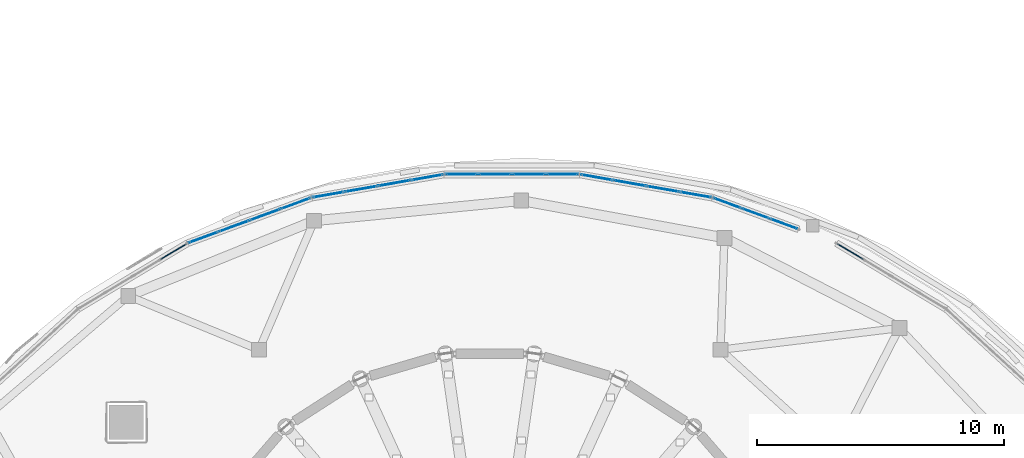
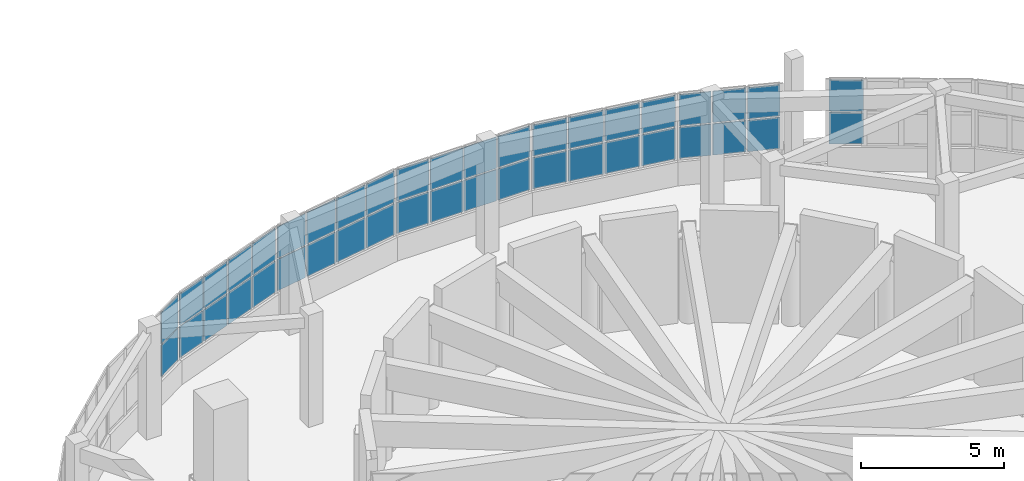
# One storey, part 49 of 69: 42 plates, 7 elements without a shape of their own.
"""IFC4 building model written with IfcOpenShell, lengths in metres."""

import ifcopenshell
import ifcopenshell.guid

model = None  # the IFC model being written
_history = None  # IfcOwnerHistory: only IFC2X3 demands one
_inside = {}  # id of a spatial element -> (the spatial element, [elements in it])
_under = {}  # id of a project, library or spatial element -> (it, [spatial elements below it])
_declared = {}  # id of a project -> (the project, [libraries it declares])
_typed = {}  # id of a type object -> (the type object, [elements of that type])
_made_of = {}  # id of a material, layer set ... -> (it, [elements and type objects made of it])


def new_model(schema):
    """Start an empty IFC model of exactly this schema.

    Asked for "IFC4X3", IfcOpenShell would pick the latest addendum, in which some entities
    have other attributes; the version numbers below select the first issue.
    IFC2X3 requires an IfcOwnerHistory on every rooted entity: one is made here for all.
    """
    global model, _history
    if schema == "IFC4X3":
        model = ifcopenshell.file(schema_version=(4, 3, 0, 0))
    else:
        model = ifcopenshell.file(schema=schema)
    _inside.clear()
    _under.clear()
    _declared.clear()
    _typed.clear()
    _made_of.clear()
    _history = None
    if model.schema == "IFC2X3":
        org = make("IfcOrganization", Name="unknown")
        user = make(
            "IfcPersonAndOrganization",
            ThePerson=make("IfcPerson", FamilyName="unknown"),
            TheOrganization=org,
        )
        app = make(
            "IfcApplication",
            ApplicationDeveloper=org,
            Version="unknown",
            ApplicationFullName="unknown",
            ApplicationIdentifier="unknown",
        )
        _history = make(
            "IfcOwnerHistory",
            OwningUser=user,
            OwningApplication=app,
            ChangeAction="ADDED",
            CreationDate=0,
        )
    return model


def make(cls, **values):
    """One entity of the class cls with the attributes given. An attribute that is None is left unset."""
    return model.create_entity(
        cls, **{name: value for name, value in values.items() if value is not None}
    )


def rooted(cls, **values):
    """An entity with a GlobalId (a new one), such as an element, a storey or a relation."""
    return make(cls, GlobalId=ifcopenshell.guid.new(), OwnerHistory=_history, **values)


def si_unit(unit_type, name, prefix=None):
    """IfcSIUnit, for example si_unit("LENGTHUNIT", "METRE", prefix="MILLI")."""
    return make("IfcSIUnit", UnitType=unit_type, Prefix=prefix, Name=name)


def assignment(units):
    """IfcUnitAssignment: the units of a project."""
    return None if units is None else make("IfcUnitAssignment", Units=units)


def point(xyz):
    """IfcCartesianPoint."""
    return None if xyz is None else make("IfcCartesianPoint", Coordinates=xyz)


def direction(xyz):
    """IfcDirection."""
    return None if xyz is None else make("IfcDirection", DirectionRatios=xyz)


def frame(location, z_axis=None, x_axis=None):
    """IfcAxis2Placement3D, a coordinate frame: its origin and axes. An axis left out is left unset."""
    return make(
        "IfcAxis2Placement3D",
        Location=point(location),
        Axis=direction(z_axis),
        RefDirection=direction(x_axis),
    )


def frame_2d(location, x_axis=None):
    """IfcAxis2Placement2D, a coordinate frame in the plane: its origin and x axis."""
    return make(
        "IfcAxis2Placement2D", Location=point(location), RefDirection=direction(x_axis)
    )


def origin():
    """The frame at (0, 0, 0) with its axes left unset."""
    return frame((0.0, 0.0, 0.0))


def origin_2d():
    """The frame at (0, 0) in the plane with its x axis left unset."""
    return frame_2d((0.0, 0.0))


def place(relative_to, where):
    """IfcLocalPlacement: puts the frame where relative to a parent placement (None: the world)."""
    return make(
        "IfcLocalPlacement", PlacementRelTo=relative_to, RelativePlacement=where
    )


def context(
    kind, dimensions, precision=None, world=None, true_north=None, identifier=None
):
    """IfcGeometricRepresentationContext, for example the 3D "Model" context."""
    return make(
        "IfcGeometricRepresentationContext",
        ContextIdentifier=identifier,
        ContextType=kind,
        CoordinateSpaceDimension=dimensions,
        Precision=precision,
        WorldCoordinateSystem=world,
        TrueNorth=true_north,
    )


def subcontext(parent, identifier, kind, view, scale=None):
    """IfcGeometricRepresentationSubContext, for example "Body" below "Model"."""
    return make(
        "IfcGeometricRepresentationSubContext",
        ContextIdentifier=identifier,
        ContextType=kind,
        ParentContext=parent,
        TargetScale=scale,
        TargetView=view,
    )


def project(units=None, contexts=None):
    """IfcProject with its units and contexts."""
    return rooted(
        "IfcProject",
        Name="project",
        RepresentationContexts=contexts,
        UnitsInContext=assignment(units),
    )


def spatial(cls, under=None, at=None, **own):
    """A site, building, storey or space (cls), placed at a placement, below another one or the project."""
    s = rooted(cls, ObjectPlacement=at, **own)
    if under is not None:
        _under.setdefault(under.id(), (under, []))[1].append(s)
    return s


def profile(cls, at=None, kind="AREA", **sizes):
    """A parametric profile (cls). Its sizes go by their IFC names, for example OverallWidth=200.0."""
    return make(cls, ProfileType=kind, Position=at, **sizes)


def rectangle(**sizes):
    """IfcRectangleProfileDef."""
    return profile("IfcRectangleProfileDef", **sizes)


def extrude(swept, where, along, depth):
    """IfcExtrudedAreaSolid: the profile swept, set in the frame where, extruded along a direction by depth."""
    return make(
        "IfcExtrudedAreaSolid",
        SweptArea=swept,
        Position=where,
        ExtrudedDirection=direction(along),
        Depth=depth,
    )


def shape(context_of_items, identifier, shape_type, items):
    """IfcShapeRepresentation: the items that make up one representation, for example the "Body"."""
    return make(
        "IfcShapeRepresentation",
        ContextOfItems=context_of_items,
        RepresentationIdentifier=identifier,
        RepresentationType=shape_type,
        Items=items,
    )


def material(Name=None, Category=None):
    """IfcMaterial."""
    return make("IfcMaterial", Name=Name, Category=Category)


def layer(
    of_material, thickness, ventilated=None, Name=None, Category=None, Priority=None
):
    """IfcMaterialLayer: one layer of a wall or slab, of a material (None: an air gap)."""
    return make(
        "IfcMaterialLayer",
        Material=of_material,
        LayerThickness=thickness,
        IsVentilated=ventilated,
        Name=Name,
        Category=Category,
        Priority=Priority,
    )


def layer_set(layers, Name=None):
    """IfcMaterialLayerSet."""
    return make("IfcMaterialLayerSet", MaterialLayers=layers, LayerSetName=Name)


def made_of(thing, what):
    """Note that an element or type object is made of a material, layer set ...; save() writes the relation."""
    if what is not None:
        _made_of.setdefault(what.id(), (what, []))[1].append(thing)
    return thing


def type_object(cls, material=None, **own):
    """A type object (cls), such as IfcWallType, which elements share."""
    return made_of(rooted(cls, **own), material)


def element(
    cls,
    number,
    at=None,
    inside=None,
    cuts=None,
    type_object=None,
    material=None,
    context=None,
    identifier="Body",
    shape_type=None,
    held_by="IfcProductDefinitionShape",
    body=None,
    shapes=None,
    **own,
):
    """One element of the class cls, such as IfcWall. Its Tag is "e" and its number.

    at: its placement. inside: the storey or other place that contains it. cuts: it is an
    opening in that element (IfcRelVoidsElement). A single representation is given by context,
    identifier, shape_type and body (its items); several are given by shapes. held_by: the class
    of the entity that holds the representations. save() writes the other relations.
    """
    e = rooted(cls, Tag="e%d" % number, ObjectPlacement=at, **own)
    if body is not None:
        shapes = [shape(context, identifier, shape_type, body)]
    if shapes is not None:
        e.Representation = make(held_by, Representations=shapes)
    if inside is not None:
        _inside.setdefault(inside.id(), (inside, []))[1].append(e)
    if cuts is not None:
        rooted(
            "IfcRelVoidsElement", RelatingBuildingElement=cuts, RelatedOpeningElement=e
        )
    if type_object is not None:
        _typed.setdefault(type_object.id(), (type_object, []))[1].append(e)
    return made_of(e, material)


def aggregate(whole, parts):
    """IfcRelAggregates: a whole, such as a stair, and the parts it consists of."""
    return rooted("IfcRelAggregates", RelatingObject=whole, RelatedObjects=parts)


def save(model, path):
    """Write the relations noted so far, then the file.

    IfcRelAggregates (storeys below a building ...), IfcRelContainedInSpatialStructure (elements
    in a storey), IfcRelDefinesByType, IfcRelAssociatesMaterial and IfcRelDeclares: one each for
    every whole, place, type object, material and project.
    """
    for whole, parts in _under.values():
        aggregate(whole, parts)
    for where, things in _inside.values():
        rooted(
            "IfcRelContainedInSpatialStructure",
            RelatedElements=things,
            RelatingStructure=where,
        )
    for kind, things in _typed.values():
        rooted("IfcRelDefinesByType", RelatedObjects=things, RelatingType=kind)
    for what, things in _made_of.values():
        rooted("IfcRelAssociatesMaterial", RelatedObjects=things, RelatingMaterial=what)
    for by, libraries in _declared.values():
        rooted("IfcRelDeclares", RelatingContext=by, RelatedDefinitions=libraries)
    model.write(path)


model = new_model("IFC4")

# Units and contexts
model_context = context("Model", 3, precision=1e-05, world=origin(), true_north=direction((0.0, 1.0)))
body_context = subcontext(model_context, "Body", "Model", "MODEL_VIEW")
ifc_project = project(units=[si_unit("LENGTHUNIT", "METRE"), si_unit("AREAUNIT", "SQUARE_METRE"), si_unit("VOLUMEUNIT", "CUBIC_METRE"), si_unit("PLANEANGLEUNIT", "RADIAN"), si_unit("MASSUNIT", "GRAM", prefix="KILO")], contexts=[model_context])

# Site, building, storey
site_placement = place(None, origin())
site = spatial("IfcSite", under=ifc_project, at=site_placement, CompositionType="ELEMENT")
building_placement = place(site_placement, origin())
building = spatial("IfcBuilding", under=site, at=building_placement, Name="Pelvatis Terrace Science Centre", CompositionType="ELEMENT")
storey_placement = place(building_placement, frame((0.0, 0.0, 15.0)))
storey = spatial("IfcBuildingStorey", under=building, at=storey_placement, Name="L03", CompositionType="ELEMENT", Elevation=15.0)

# Curtain wall, plates
ifc_material_1 = material(Name="Bronze-anodised aluminium and laminated glass", Category="aluminium")
ifc_layer_1 = layer(ifc_material_1, 0.179931640625)
ifc_layer_set_1 = layer_set([ifc_layer_1], Name="Bronze-anodised aluminium and laminated glass")
curtain_wall_type = type_object("IfcCurtainWallType", Name="CW-RIBBON-A", PredefinedType="NOTDEFINED", material=ifc_layer_set_1)
curtain_wall_1_placement = place(storey_placement, origin())
curtain_wall_1 = element("IfcCurtainWall", 1, at=curtain_wall_1_placement, inside=storey, type_object=curtain_wall_type, Name="Ribbon curtain wall CW-187 (L03)", PredefinedType="NOTDEFINED")
ifc_material_2 = material(Name="Low-e laminated solar-control double glazing", Category="glass")
ifc_layer_2 = layer(ifc_material_2, 0.035888671875)
ifc_layer_set_2 = layer_set([ifc_layer_2], Name="Low-e laminated solar-control double glazing")
plate_type = type_object("IfcPlateType", Name="CWP-IGU-36", PredefinedType="CURTAIN_PANEL", material=ifc_layer_set_2)
plate_1_placement = place(storey_placement, frame((123.792724609375, 102.4091796875, 1.080078125), z_axis=(0.0, 0.0, 1.0), x_axis=(-0.857792823096, 0.51399559594, 0.0)))
plate_1 = element("IfcPlate", 2, at=plate_1_placement, type_object=plate_type, Name="CW-187 panel 4.1", PredefinedType="CURTAIN_PANEL", context=body_context, shape_type="SweptSolid", body=[
    extrude(rectangle(XDim=1.203857421875, YDim=0.035888671875, at=origin_2d()), origin(), (0.0, 0.0, 1.0), 1.3349609375),
])
plate_2_placement = place(storey_placement, frame((123.792724609375, 102.4091796875, 2.47509765625), z_axis=(0.0, 0.0, 1.0), x_axis=(-0.857792823096, 0.51399559594, 0.0)))
plate_2 = element("IfcPlate", 3, at=plate_2_placement, type_object=plate_type, Name="CW-187 panel 4.2", PredefinedType="CURTAIN_PANEL", context=body_context, shape_type="SweptSolid", body=[
    extrude(rectangle(XDim=1.203857421875, YDim=0.035888671875, at=origin_2d()), origin(), (0.0, 0.0, 1.0), 1.3349609375),
])
aggregate(curtain_wall_1, [plate_1, plate_2])

curtain_wall_2_placement = place(storey_placement, origin())
curtain_wall_2 = element("IfcCurtainWall", 4, at=curtain_wall_2_placement, inside=storey, type_object=curtain_wall_type, Name="Ribbon curtain wall CW-188 (L03)", PredefinedType="NOTDEFINED")
plate_3_placement = place(storey_placement, frame((121.097900390625, 103.530517578125, 1.080078125), z_axis=(0.0, 0.0, 1.0), x_axis=(-0.938702715374, 0.344727736262, 0.0)))
plate_3 = element("IfcPlate", 5, at=plate_3_placement, type_object=plate_type, Name="CW-188 panel 1.1", PredefinedType="CURTAIN_PANEL", context=body_context, shape_type="SweptSolid", body=[
    extrude(rectangle(XDim=1.145751953125, YDim=0.035888671875, at=origin_2d()), origin(), (0.0, 0.0, 1.0), 1.3349609375),
])
plate_4_placement = place(storey_placement, frame((121.097900390625, 103.530517578125, 2.47509765625), z_axis=(0.0, 0.0, 1.0), x_axis=(-0.938702715374, 0.344727736262, 0.0)))
plate_4 = element("IfcPlate", 6, at=plate_4_placement, type_object=plate_type, Name="CW-188 panel 1.2", PredefinedType="CURTAIN_PANEL", context=body_context, shape_type="SweptSolid", body=[
    extrude(rectangle(XDim=1.145751953125, YDim=0.035888671875, at=origin_2d()), origin(), (0.0, 0.0, 1.0), 1.3349609375),
])
plate_5_placement = place(storey_placement, frame((119.951904296875, 103.951416015625, 1.080078125), z_axis=(0.0, 0.0, 1.0), x_axis=(-0.938702715374, 0.344727736262, 0.0)))
plate_5 = element("IfcPlate", 7, at=plate_5_placement, type_object=plate_type, Name="CW-188 panel 2.1", PredefinedType="CURTAIN_PANEL", context=body_context, shape_type="SweptSolid", body=[
    extrude(rectangle(XDim=1.17578125, YDim=0.035888671875, at=origin_2d()), origin(), (0.0, 0.0, 1.0), 1.3349609375),
])
plate_6_placement = place(storey_placement, frame((119.951904296875, 103.951416015625, 2.47509765625), z_axis=(0.0, 0.0, 1.0), x_axis=(-0.938702715374, 0.344727736262, 0.0)))
plate_6 = element("IfcPlate", 8, at=plate_6_placement, type_object=plate_type, Name="CW-188 panel 2.2", PredefinedType="CURTAIN_PANEL", context=body_context, shape_type="SweptSolid", body=[
    extrude(rectangle(XDim=1.17578125, YDim=0.035888671875, at=origin_2d()), origin(), (0.0, 0.0, 1.0), 1.3349609375),
])
plate_7_placement = place(storey_placement, frame((118.805908203125, 104.372314453125, 1.080078125), z_axis=(0.0, 0.0, 1.0), x_axis=(-0.938702715374, 0.344727736262, 0.0)))
plate_7 = element("IfcPlate", 9, at=plate_7_placement, type_object=plate_type, Name="CW-188 panel 3.1", PredefinedType="CURTAIN_PANEL", context=body_context, shape_type="SweptSolid", body=[
    extrude(rectangle(XDim=1.145751953125, YDim=0.035888671875, at=origin_2d()), origin(), (0.0, 0.0, 1.0), 1.3349609375),
])
plate_8_placement = place(storey_placement, frame((118.805908203125, 104.372314453125, 2.47509765625), z_axis=(0.0, 0.0, 1.0), x_axis=(-0.938702715374, 0.344727736262, 0.0)))
plate_8 = element("IfcPlate", 10, at=plate_8_placement, type_object=plate_type, Name="CW-188 panel 3.2", PredefinedType="CURTAIN_PANEL", context=body_context, shape_type="SweptSolid", body=[
    extrude(rectangle(XDim=1.145751953125, YDim=0.035888671875, at=origin_2d()), origin(), (0.0, 0.0, 1.0), 1.3349609375),
])
aggregate(curtain_wall_2, [plate_3, plate_4, plate_5, plate_6, plate_7, plate_8])

curtain_wall_3_placement = place(storey_placement, origin())
curtain_wall_3 = element("IfcCurtainWall", 11, at=curtain_wall_3_placement, inside=storey, type_object=curtain_wall_type, Name="Ribbon curtain wall CW-189 (L03)", PredefinedType="NOTDEFINED")
plate_9_placement = place(storey_placement, frame((117.52587890625, 104.710693359375, 1.080078125), z_axis=(0.0, 0.0, 1.0), x_axis=(-0.984979480969, 0.172671428067, 0.0)))
plate_9 = element("IfcPlate", 12, at=plate_9_placement, type_object=plate_type, Name="CW-189 panel 1.1", PredefinedType="CURTAIN_PANEL", context=body_context, shape_type="SweptSolid", body=[
    extrude(rectangle(XDim=1.2724609375, YDim=0.035888671875, at=origin_2d()), origin(), (0.0, 0.0, 1.0), 1.3349609375),
])
plate_10_placement = place(storey_placement, frame((117.52587890625, 104.710693359375, 2.47509765625), z_axis=(0.0, 0.0, 1.0), x_axis=(-0.984979480969, 0.172671428067, 0.0)))
plate_10 = element("IfcPlate", 13, at=plate_10_placement, type_object=plate_type, Name="CW-189 panel 1.2", PredefinedType="CURTAIN_PANEL", context=body_context, shape_type="SweptSolid", body=[
    extrude(rectangle(XDim=1.2724609375, YDim=0.035888671875, at=origin_2d()), origin(), (0.0, 0.0, 1.0), 1.3349609375),
])
plate_11_placement = place(storey_placement, frame((116.19873046875, 104.943359375, 1.080078125), z_axis=(0.0, 0.0, 1.0), x_axis=(-0.984979480969, 0.172671428067, 0.0)))
plate_11 = element("IfcPlate", 14, at=plate_11_placement, type_object=plate_type, Name="CW-189 panel 2.1", PredefinedType="CURTAIN_PANEL", context=body_context, shape_type="SweptSolid", body=[
    extrude(rectangle(XDim=1.302490234375, YDim=0.035888671875, at=origin_2d()), origin(), (0.0, 0.0, 1.0), 1.3349609375),
])
plate_12_placement = place(storey_placement, frame((116.19873046875, 104.943359375, 2.47509765625), z_axis=(0.0, 0.0, 1.0), x_axis=(-0.984979480969, 0.172671428067, 0.0)))
plate_12 = element("IfcPlate", 15, at=plate_12_placement, type_object=plate_type, Name="CW-189 panel 2.2", PredefinedType="CURTAIN_PANEL", context=body_context, shape_type="SweptSolid", body=[
    extrude(rectangle(XDim=1.302490234375, YDim=0.035888671875, at=origin_2d()), origin(), (0.0, 0.0, 1.0), 1.3349609375),
])
plate_13_placement = place(storey_placement, frame((114.85693359375, 105.178466796875, 1.080078125), z_axis=(0.0, 0.0, 1.0), x_axis=(-0.984979480969, 0.172671428067, 0.0)))
plate_13 = element("IfcPlate", 16, at=plate_13_placement, type_object=plate_type, Name="CW-189 panel 3.1", PredefinedType="CURTAIN_PANEL", context=body_context, shape_type="SweptSolid", body=[
    extrude(rectangle(XDim=1.302490234375, YDim=0.035888671875, at=origin_2d()), origin(), (0.0, 0.0, 1.0), 1.3349609375),
])
plate_14_placement = place(storey_placement, frame((114.85693359375, 105.178466796875, 2.47509765625), z_axis=(0.0, 0.0, 1.0), x_axis=(-0.984979480969, 0.172671428067, 0.0)))
plate_14 = element("IfcPlate", 17, at=plate_14_placement, type_object=plate_type, Name="CW-189 panel 3.2", PredefinedType="CURTAIN_PANEL", context=body_context, shape_type="SweptSolid", body=[
    extrude(rectangle(XDim=1.302490234375, YDim=0.035888671875, at=origin_2d()), origin(), (0.0, 0.0, 1.0), 1.3349609375),
])
plate_15_placement = place(storey_placement, frame((113.529541015625, 105.4111328125, 1.080078125), z_axis=(0.0, 0.0, 1.0), x_axis=(-0.984979480969, 0.172671428067, 0.0)))
plate_15 = element("IfcPlate", 18, at=plate_15_placement, type_object=plate_type, Name="CW-189 panel 4.1", PredefinedType="CURTAIN_PANEL", context=body_context, shape_type="SweptSolid", body=[
    extrude(rectangle(XDim=1.2724609375, YDim=0.035888671875, at=origin_2d()), origin(), (0.0, 0.0, 1.0), 1.3349609375),
])
plate_16_placement = place(storey_placement, frame((113.529541015625, 105.4111328125, 2.47509765625), z_axis=(0.0, 0.0, 1.0), x_axis=(-0.984979480969, 0.172671428067, 0.0)))
plate_16 = element("IfcPlate", 19, at=plate_16_placement, type_object=plate_type, Name="CW-189 panel 4.2", PredefinedType="CURTAIN_PANEL", context=body_context, shape_type="SweptSolid", body=[
    extrude(rectangle(XDim=1.2724609375, YDim=0.035888671875, at=origin_2d()), origin(), (0.0, 0.0, 1.0), 1.3349609375),
])
aggregate(curtain_wall_3, [plate_9, plate_10, plate_11, plate_12, plate_13, plate_14, plate_15, plate_16])

curtain_wall_4_placement = place(storey_placement, origin())
curtain_wall_4 = element("IfcCurtainWall", 20, at=curtain_wall_4_placement, inside=storey, type_object=curtain_wall_type, Name="Ribbon curtain wall CW-190 (L03)", PredefinedType="NOTDEFINED")
plate_17_placement = place(storey_placement, frame((112.142822265625, 105.531494140625, 1.080078125), z_axis=(0.0, 0.0, 1.0), x_axis=(-1.0, 0.0, 0.0)))
plate_17 = element("IfcPlate", 21, at=plate_17_placement, type_object=plate_type, Name="CW-190 panel 1.1", PredefinedType="CURTAIN_PANEL", context=body_context, shape_type="SweptSolid", body=[
    extrude(rectangle(XDim=1.281982421875, YDim=0.035888671875, at=origin_2d()), origin(), (0.0, 0.0, 1.0), 1.3349609375),
])
plate_18_placement = place(storey_placement, frame((112.142822265625, 105.531494140625, 2.47509765625), z_axis=(0.0, 0.0, 1.0), x_axis=(-1.0, 0.0, 0.0)))
plate_18 = element("IfcPlate", 22, at=plate_18_placement, type_object=plate_type, Name="CW-190 panel 1.2", PredefinedType="CURTAIN_PANEL", context=body_context, shape_type="SweptSolid", body=[
    extrude(rectangle(XDim=1.281982421875, YDim=0.035888671875, at=origin_2d()), origin(), (0.0, 0.0, 1.0), 1.3349609375),
])
plate_19_placement = place(storey_placement, frame((110.785888671875, 105.531494140625, 1.080078125), z_axis=(0.0, 0.0, 1.0), x_axis=(-1.0, 0.0, 0.0)))
plate_19 = element("IfcPlate", 23, at=plate_19_placement, type_object=plate_type, Name="CW-190 panel 2.1", PredefinedType="CURTAIN_PANEL", context=body_context, shape_type="SweptSolid", body=[
    extrude(rectangle(XDim=1.31201171875, YDim=0.035888671875, at=origin_2d()), origin(), (0.0, 0.0, 1.0), 1.3349609375),
])
plate_20_placement = place(storey_placement, frame((110.785888671875, 105.531494140625, 2.47509765625), z_axis=(0.0, 0.0, 1.0), x_axis=(-1.0, 0.0, 0.0)))
plate_20 = element("IfcPlate", 24, at=plate_20_placement, type_object=plate_type, Name="CW-190 panel 2.2", PredefinedType="CURTAIN_PANEL", context=body_context, shape_type="SweptSolid", body=[
    extrude(rectangle(XDim=1.31201171875, YDim=0.035888671875, at=origin_2d()), origin(), (0.0, 0.0, 1.0), 1.3349609375),
])
plate_21_placement = place(storey_placement, frame((109.4140625, 105.531494140625, 1.080078125), z_axis=(0.0, 0.0, 1.0), x_axis=(-1.0, 0.0, 0.0)))
plate_21 = element("IfcPlate", 25, at=plate_21_placement, type_object=plate_type, Name="CW-190 panel 3.1", PredefinedType="CURTAIN_PANEL", context=body_context, shape_type="SweptSolid", body=[
    extrude(rectangle(XDim=1.31201171875, YDim=0.035888671875, at=origin_2d()), origin(), (0.0, 0.0, 1.0), 1.3349609375),
])
plate_22_placement = place(storey_placement, frame((109.4140625, 105.531494140625, 2.47509765625), z_axis=(0.0, 0.0, 1.0), x_axis=(-1.0, 0.0, 0.0)))
plate_22 = element("IfcPlate", 26, at=plate_22_placement, type_object=plate_type, Name="CW-190 panel 3.2", PredefinedType="CURTAIN_PANEL", context=body_context, shape_type="SweptSolid", body=[
    extrude(rectangle(XDim=1.31201171875, YDim=0.035888671875, at=origin_2d()), origin(), (0.0, 0.0, 1.0), 1.3349609375),
])
plate_23_placement = place(storey_placement, frame((108.05712890625, 105.531494140625, 1.080078125), z_axis=(0.0, 0.0, 1.0), x_axis=(-1.0, 0.0, 0.0)))
plate_23 = element("IfcPlate", 27, at=plate_23_placement, type_object=plate_type, Name="CW-190 panel 4.1", PredefinedType="CURTAIN_PANEL", context=body_context, shape_type="SweptSolid", body=[
    extrude(rectangle(XDim=1.281982421875, YDim=0.035888671875, at=origin_2d()), origin(), (0.0, 0.0, 1.0), 1.3349609375),
])
plate_24_placement = place(storey_placement, frame((108.05712890625, 105.531494140625, 2.47509765625), z_axis=(0.0, 0.0, 1.0), x_axis=(-1.0, 0.0, 0.0)))
plate_24 = element("IfcPlate", 28, at=plate_24_placement, type_object=plate_type, Name="CW-190 panel 4.2", PredefinedType="CURTAIN_PANEL", context=body_context, shape_type="SweptSolid", body=[
    extrude(rectangle(XDim=1.281982421875, YDim=0.035888671875, at=origin_2d()), origin(), (0.0, 0.0, 1.0), 1.3349609375),
])
aggregate(curtain_wall_4, [plate_17, plate_18, plate_19, plate_20, plate_21, plate_22, plate_23, plate_24])

curtain_wall_5_placement = place(storey_placement, origin())
curtain_wall_5 = element("IfcCurtainWall", 29, at=curtain_wall_5_placement, inside=storey, type_object=curtain_wall_type, Name="Ribbon curtain wall CW-191 (L03)", PredefinedType="NOTDEFINED")
plate_25_placement = place(storey_placement, frame((106.67041015625, 105.4111328125, 1.080078125), z_axis=(0.0, 0.0, 1.0), x_axis=(-0.984979480969, -0.172671428067, 0.0)))
plate_25 = element("IfcPlate", 30, at=plate_25_placement, type_object=plate_type, Name="CW-191 panel 1.1", PredefinedType="CURTAIN_PANEL", context=body_context, shape_type="SweptSolid", body=[
    extrude(rectangle(XDim=1.2724609375, YDim=0.035888671875, at=origin_2d()), origin(), (0.0, 0.0, 1.0), 1.3349609375),
])
plate_26_placement = place(storey_placement, frame((106.67041015625, 105.4111328125, 2.47509765625), z_axis=(0.0, 0.0, 1.0), x_axis=(-0.984979480969, -0.172671428067, 0.0)))
plate_26 = element("IfcPlate", 31, at=plate_26_placement, type_object=plate_type, Name="CW-191 panel 1.2", PredefinedType="CURTAIN_PANEL", context=body_context, shape_type="SweptSolid", body=[
    extrude(rectangle(XDim=1.2724609375, YDim=0.035888671875, at=origin_2d()), origin(), (0.0, 0.0, 1.0), 1.3349609375),
])
plate_27_placement = place(storey_placement, frame((105.34326171875, 105.178466796875, 1.080078125), z_axis=(0.0, 0.0, 1.0), x_axis=(-0.984979480969, -0.172671428067, 0.0)))
plate_27 = element("IfcPlate", 32, at=plate_27_placement, type_object=plate_type, Name="CW-191 panel 2.1", PredefinedType="CURTAIN_PANEL", context=body_context, shape_type="SweptSolid", body=[
    extrude(rectangle(XDim=1.302490234375, YDim=0.035888671875, at=origin_2d()), origin(), (0.0, 0.0, 1.0), 1.3349609375),
])
plate_28_placement = place(storey_placement, frame((105.34326171875, 105.178466796875, 2.47509765625), z_axis=(0.0, 0.0, 1.0), x_axis=(-0.984979480969, -0.172671428067, 0.0)))
plate_28 = element("IfcPlate", 33, at=plate_28_placement, type_object=plate_type, Name="CW-191 panel 2.2", PredefinedType="CURTAIN_PANEL", context=body_context, shape_type="SweptSolid", body=[
    extrude(rectangle(XDim=1.302490234375, YDim=0.035888671875, at=origin_2d()), origin(), (0.0, 0.0, 1.0), 1.3349609375),
])
plate_29_placement = place(storey_placement, frame((104.001220703125, 104.943359375, 1.080078125), z_axis=(0.0, 0.0, 1.0), x_axis=(-0.984979480969, -0.172671428067, 0.0)))
plate_29 = element("IfcPlate", 34, at=plate_29_placement, type_object=plate_type, Name="CW-191 panel 3.1", PredefinedType="CURTAIN_PANEL", context=body_context, shape_type="SweptSolid", body=[
    extrude(rectangle(XDim=1.302490234375, YDim=0.035888671875, at=origin_2d()), origin(), (0.0, 0.0, 1.0), 1.3349609375),
])
plate_30_placement = place(storey_placement, frame((104.001220703125, 104.943359375, 2.47509765625), z_axis=(0.0, 0.0, 1.0), x_axis=(-0.984979480969, -0.172671428067, 0.0)))
plate_30 = element("IfcPlate", 35, at=plate_30_placement, type_object=plate_type, Name="CW-191 panel 3.2", PredefinedType="CURTAIN_PANEL", context=body_context, shape_type="SweptSolid", body=[
    extrude(rectangle(XDim=1.302490234375, YDim=0.035888671875, at=origin_2d()), origin(), (0.0, 0.0, 1.0), 1.3349609375),
])
plate_31_placement = place(storey_placement, frame((102.674072265625, 104.710693359375, 1.080078125), z_axis=(0.0, 0.0, 1.0), x_axis=(-0.984979480969, -0.172671428067, 0.0)))
plate_31 = element("IfcPlate", 36, at=plate_31_placement, type_object=plate_type, Name="CW-191 panel 4.1", PredefinedType="CURTAIN_PANEL", context=body_context, shape_type="SweptSolid", body=[
    extrude(rectangle(XDim=1.2724609375, YDim=0.035888671875, at=origin_2d()), origin(), (0.0, 0.0, 1.0), 1.3349609375),
])
plate_32_placement = place(storey_placement, frame((102.674072265625, 104.710693359375, 2.47509765625), z_axis=(0.0, 0.0, 1.0), x_axis=(-0.984979480969, -0.172671428067, 0.0)))
plate_32 = element("IfcPlate", 37, at=plate_32_placement, type_object=plate_type, Name="CW-191 panel 4.2", PredefinedType="CURTAIN_PANEL", context=body_context, shape_type="SweptSolid", body=[
    extrude(rectangle(XDim=1.2724609375, YDim=0.035888671875, at=origin_2d()), origin(), (0.0, 0.0, 1.0), 1.3349609375),
])
aggregate(curtain_wall_5, [plate_25, plate_26, plate_27, plate_28, plate_29, plate_30, plate_31, plate_32])

curtain_wall_6_placement = place(storey_placement, origin())
curtain_wall_6 = element("IfcCurtainWall", 38, at=curtain_wall_6_placement, inside=storey, type_object=curtain_wall_type, Name="Ribbon curtain wall CW-192 (L03)", PredefinedType="NOTDEFINED")
plate_33_placement = place(storey_placement, frame((101.34765625, 104.355224609375, 1.080078125), z_axis=(0.0, 0.0, 1.0), x_axis=(-0.938707353783, -0.34471510549, 0.0)))
plate_33 = element("IfcPlate", 39, at=plate_33_placement, type_object=plate_type, Name="CW-192 panel 1.1", PredefinedType="CURTAIN_PANEL", context=body_context, shape_type="SweptSolid", body=[
    extrude(rectangle(XDim=1.2451171875, YDim=0.035888671875, at=origin_2d()), origin(), (0.0, 0.0, 1.0), 1.3349609375),
])
plate_34_placement = place(storey_placement, frame((101.34765625, 104.355224609375, 2.47509765625), z_axis=(0.0, 0.0, 1.0), x_axis=(-0.938707353783, -0.34471510549, 0.0)))
plate_34 = element("IfcPlate", 40, at=plate_34_placement, type_object=plate_type, Name="CW-192 panel 1.2", PredefinedType="CURTAIN_PANEL", context=body_context, shape_type="SweptSolid", body=[
    extrude(rectangle(XDim=1.2451171875, YDim=0.035888671875, at=origin_2d()), origin(), (0.0, 0.0, 1.0), 1.3349609375),
])
plate_35_placement = place(storey_placement, frame((100.1083984375, 103.900146484375, 1.080078125), z_axis=(0.0, 0.0, 1.0), x_axis=(-0.938707353783, -0.34471510549, 0.0)))
plate_35 = element("IfcPlate", 41, at=plate_35_placement, type_object=plate_type, Name="CW-192 panel 2.1", PredefinedType="CURTAIN_PANEL", context=body_context, shape_type="SweptSolid", body=[
    extrude(rectangle(XDim=1.275146484375, YDim=0.035888671875, at=origin_2d()), origin(), (0.0, 0.0, 1.0), 1.3349609375),
])
plate_36_placement = place(storey_placement, frame((100.1083984375, 103.900146484375, 2.47509765625), z_axis=(0.0, 0.0, 1.0), x_axis=(-0.938707353783, -0.34471510549, 0.0)))
plate_36 = element("IfcPlate", 42, at=plate_36_placement, type_object=plate_type, Name="CW-192 panel 2.2", PredefinedType="CURTAIN_PANEL", context=body_context, shape_type="SweptSolid", body=[
    extrude(rectangle(XDim=1.275146484375, YDim=0.035888671875, at=origin_2d()), origin(), (0.0, 0.0, 1.0), 1.3349609375),
])
plate_37_placement = place(storey_placement, frame((98.85498046875, 103.439697265625, 1.080078125), z_axis=(0.0, 0.0, 1.0), x_axis=(-0.938707353783, -0.34471510549, 0.0)))
plate_37 = element("IfcPlate", 43, at=plate_37_placement, type_object=plate_type, Name="CW-192 panel 3.1", PredefinedType="CURTAIN_PANEL", context=body_context, shape_type="SweptSolid", body=[
    extrude(rectangle(XDim=1.275146484375, YDim=0.035888671875, at=origin_2d()), origin(), (0.0, 0.0, 1.0), 1.3349609375),
])
plate_38_placement = place(storey_placement, frame((98.85498046875, 103.439697265625, 2.47509765625), z_axis=(0.0, 0.0, 1.0), x_axis=(-0.938707353783, -0.34471510549, 0.0)))
plate_38 = element("IfcPlate", 44, at=plate_38_placement, type_object=plate_type, Name="CW-192 panel 3.2", PredefinedType="CURTAIN_PANEL", context=body_context, shape_type="SweptSolid", body=[
    extrude(rectangle(XDim=1.275146484375, YDim=0.035888671875, at=origin_2d()), origin(), (0.0, 0.0, 1.0), 1.3349609375),
])
plate_39_placement = place(storey_placement, frame((97.61572265625, 102.984619140625, 1.080078125), z_axis=(0.0, 0.0, 1.0), x_axis=(-0.938707353783, -0.34471510549, 0.0)))
plate_39 = element("IfcPlate", 45, at=plate_39_placement, type_object=plate_type, Name="CW-192 panel 4.1", PredefinedType="CURTAIN_PANEL", context=body_context, shape_type="SweptSolid", body=[
    extrude(rectangle(XDim=1.2451171875, YDim=0.035888671875, at=origin_2d()), origin(), (0.0, 0.0, 1.0), 1.3349609375),
])
plate_40_placement = place(storey_placement, frame((97.61572265625, 102.984619140625, 2.47509765625), z_axis=(0.0, 0.0, 1.0), x_axis=(-0.938707353783, -0.34471510549, 0.0)))
plate_40 = element("IfcPlate", 46, at=plate_40_placement, type_object=plate_type, Name="CW-192 panel 4.2", PredefinedType="CURTAIN_PANEL", context=body_context, shape_type="SweptSolid", body=[
    extrude(rectangle(XDim=1.2451171875, YDim=0.035888671875, at=origin_2d()), origin(), (0.0, 0.0, 1.0), 1.3349609375),
])
aggregate(curtain_wall_6, [plate_33, plate_34, plate_35, plate_36, plate_37, plate_38, plate_39, plate_40])

curtain_wall_7_placement = place(storey_placement, origin())
curtain_wall_7 = element("IfcCurtainWall", 47, at=curtain_wall_7_placement, inside=storey, type_object=curtain_wall_type, Name="Ribbon curtain wall CW-193 (L03)", PredefinedType="NOTDEFINED")
plate_41_placement = place(storey_placement, frame((96.4072265625, 102.4091796875, 1.080078125), z_axis=(0.0, 0.0, 1.0), x_axis=(-0.857792823096, -0.51399559594, 0.0)))
plate_41 = element("IfcPlate", 48, at=plate_41_placement, type_object=plate_type, Name="CW-193 panel 1.1", PredefinedType="CURTAIN_PANEL", context=body_context, shape_type="SweptSolid", body=[
    extrude(rectangle(XDim=1.203857421875, YDim=0.035888671875, at=origin_2d()), origin(), (0.0, 0.0, 1.0), 1.3349609375),
])
plate_42_placement = place(storey_placement, frame((96.4072265625, 102.4091796875, 2.47509765625), z_axis=(0.0, 0.0, 1.0), x_axis=(-0.857792823096, -0.51399559594, 0.0)))
plate_42 = element("IfcPlate", 49, at=plate_42_placement, type_object=plate_type, Name="CW-193 panel 1.2", PredefinedType="CURTAIN_PANEL", context=body_context, shape_type="SweptSolid", body=[
    extrude(rectangle(XDim=1.203857421875, YDim=0.035888671875, at=origin_2d()), origin(), (0.0, 0.0, 1.0), 1.3349609375),
])
aggregate(curtain_wall_7, [plate_41, plate_42])

save(model, "model.ifc")
